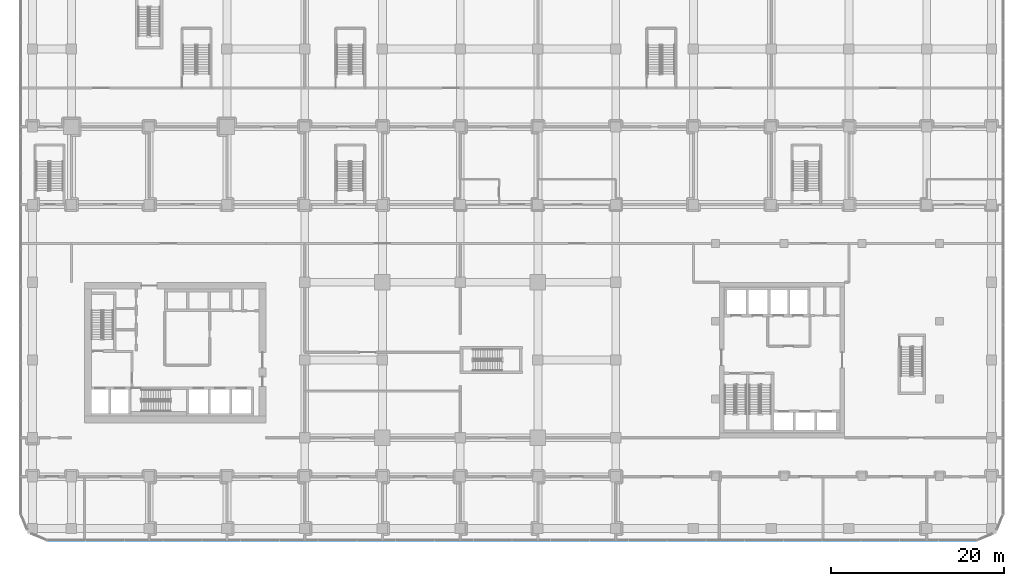
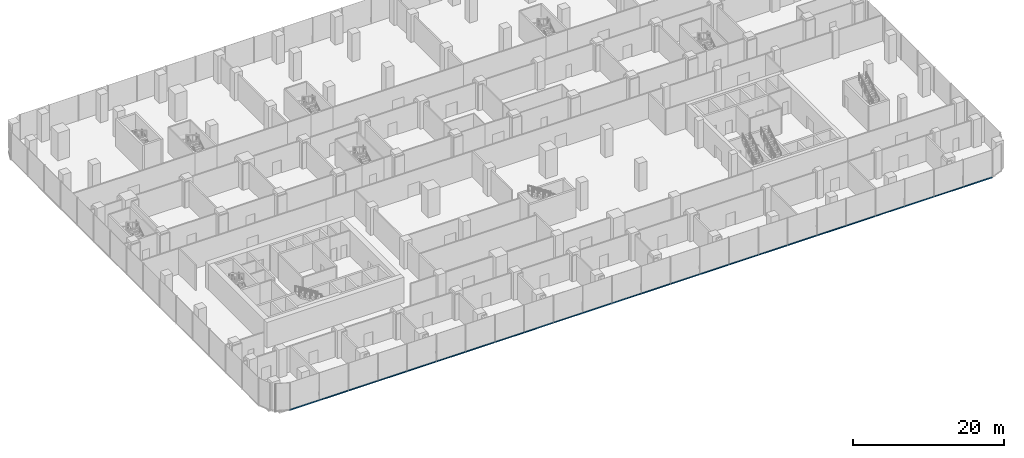
# One storey, part 5 of 43: 1 member, 1 element without a shape of its own.
"""IFC4 building model written with IfcOpenShell, lengths in metres."""

from ifc_helpers import new_model, si_unit, direction, frame, origin, origin_2d, place, context, subcontext, project, spatial, rectangle, extrude, material, layer, layer_set, material_profile, profile_set, type_object, element, aggregate, save


model = new_model("IFC4")

# Units and contexts
model_context = context("Model", 3, precision=1e-05, world=origin(), true_north=direction((0.0, 1.0)))
body_context = subcontext(model_context, "Body", "Model", "MODEL_VIEW")
ifc_project = project(units=[si_unit("LENGTHUNIT", "METRE"), si_unit("AREAUNIT", "SQUARE_METRE"), si_unit("VOLUMEUNIT", "CUBIC_METRE"), si_unit("PLANEANGLEUNIT", "RADIAN"), si_unit("MASSUNIT", "GRAM", prefix="KILO")], contexts=[model_context])

# Site, building, storey
site_placement = place(None, origin())
site = spatial("IfcSite", under=ifc_project, at=site_placement, CompositionType="ELEMENT")
building_placement = place(site_placement, origin())
building = spatial("IfcBuilding", under=site, at=building_placement, Name="Plateau Cross Towers", CompositionType="ELEMENT")
storey_placement = place(building_placement, frame((0.0, 0.0, 17.300048828125)))
storey = spatial("IfcBuildingStorey", under=building, at=storey_placement, Name="L03", CompositionType="ELEMENT", Elevation=17.300048828125)

# Curtain wall, member
ifc_material_1 = material(Name="Dark low-iron laminated glass", Category="glass")
ifc_layer = layer(ifc_material_1, 0.300048828125)
ifc_layer_set = layer_set([ifc_layer], Name="Dark low-iron laminated glass")
curtain_wall_type = type_object("IfcCurtainWallType", Name="Curtain wall structural silicone CW-C", PredefinedType="NOTDEFINED", material=ifc_layer_set)
curtain_wall_placement = place(storey_placement, origin())
curtain_wall = element("IfcCurtainWall", 1, at=curtain_wall_placement, inside=storey, type_object=curtain_wall_type, Name="ENV/P/L03/P-28_-118", PredefinedType="NOTDEFINED")
ifc_material_2 = material(Name="Black anodised aluminium", Category="aluminium")
ifc_material_profile = material_profile(ifc_material_2, rectangle(XDim=0.10009765625, YDim=0.14990234375, at=origin_2d()), Name="TRANSOM 100x150")
ifc_profile_set = profile_set([ifc_material_profile], Name="Black anodised aluminium")
member_type = type_object("IfcMemberType", Name="Transom 100x150 structural silicone", PredefinedType="USERDEFINED", material=ifc_profile_set)
member_placement = place(storey_placement, frame((-2.85009765625, -11.85009765625, -0.275146484375), z_axis=(1.0, 0.0, 0.0), x_axis=(0.0, 1.0, 0.0)))
member = element("IfcMember", 2, at=member_placement, type_object=member_type, Name="CW-C transom", ObjectType="TRANSOM", PredefinedType="USERDEFINED", context=body_context, shape_type="SweptSolid", body=[
    extrude(rectangle(XDim=0.10009765625, YDim=0.14990234375, at=origin_2d()), origin(), (0.0, 0.0, 1.0), 107.7001953125),
])
aggregate(curtain_wall, [member])

save(model, "model.ifc")
